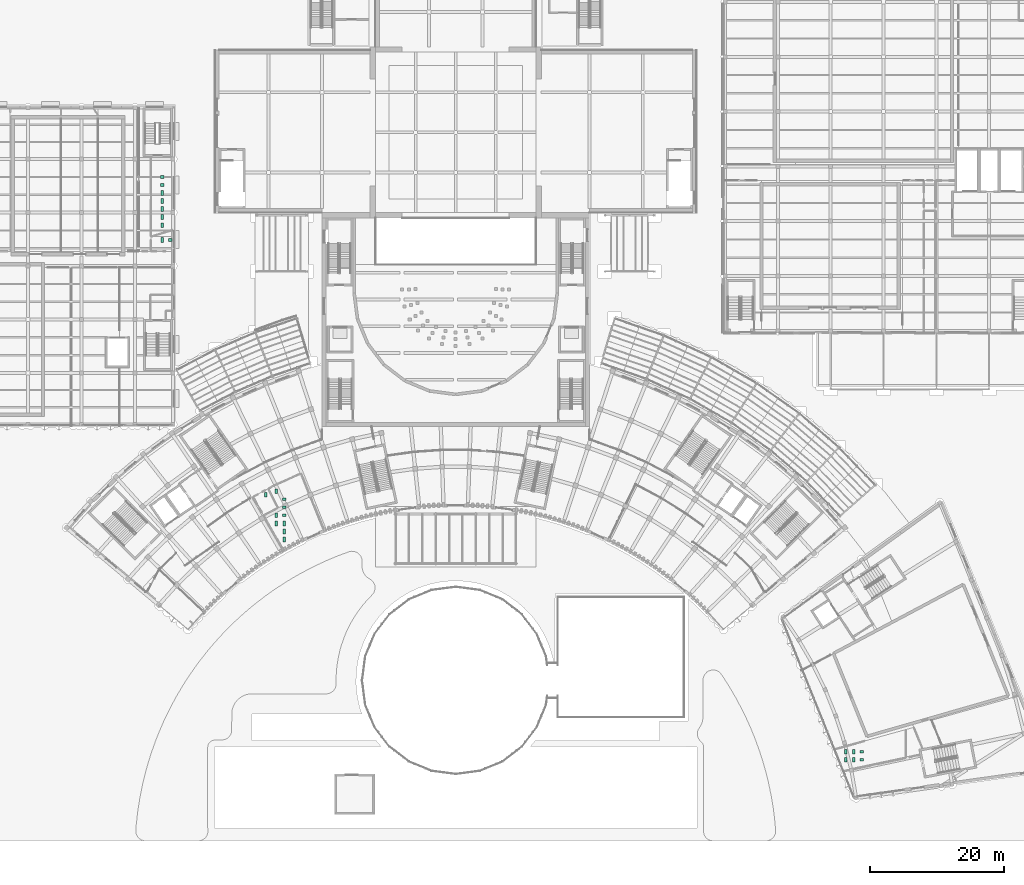
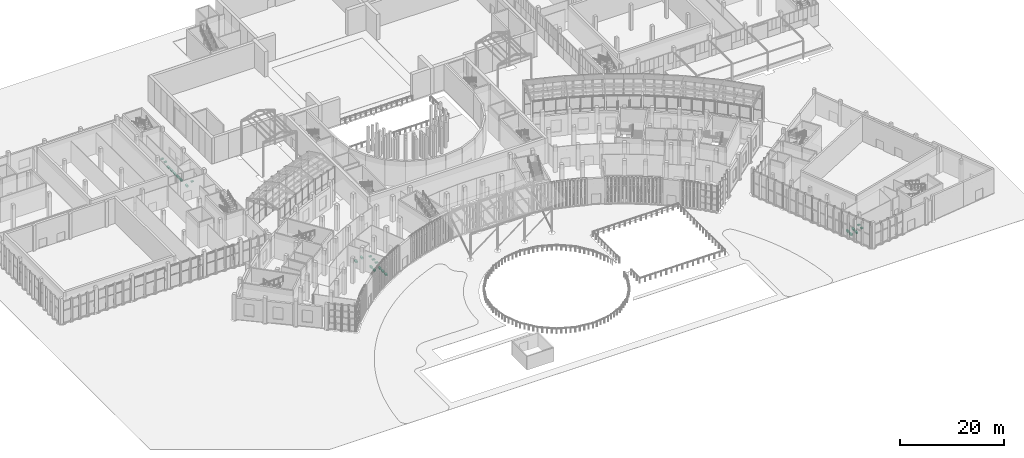
# One storey, part 154 of 155: 25 sanitary terminals.
"""IFC4 building model written with IfcOpenShell, lengths in metres."""

from ifc_helpers import new_model, si_unit, direction, frame, origin, origin_2d, place, context, subcontext, project, spatial, rectangle, extrude, material, type_object, element, save


model = new_model("IFC4")

# Units and contexts
model_context = context("Model", 3, precision=1e-05, world=origin(), true_north=direction((0.0, 1.0)))
body_context = subcontext(model_context, "Body", "Model", "MODEL_VIEW")
ifc_project = project(units=[si_unit("LENGTHUNIT", "METRE"), si_unit("AREAUNIT", "SQUARE_METRE"), si_unit("VOLUMEUNIT", "CUBIC_METRE"), si_unit("PLANEANGLEUNIT", "RADIAN"), si_unit("MASSUNIT", "GRAM", prefix="KILO")], contexts=[model_context])

# Site, building, storey
site_placement = place(None, origin())
site = spatial("IfcSite", under=ifc_project, at=site_placement, CompositionType="ELEMENT")
building_placement = place(site_placement, origin())
building = spatial("IfcBuilding", under=site, at=building_placement, Name="Lunette Opera House", CompositionType="ELEMENT")
storey_placement = place(building_placement, origin())
storey = spatial("IfcBuildingStorey", under=building, at=storey_placement, Name="L00", CompositionType="ELEMENT", Elevation=0.0)

# Sanitary terminals
ifc_material_1 = material(Name="Ceramic")
sanitary_terminal_type_1 = type_object("IfcSanitaryTerminalType", Name="WASH BASIN", PredefinedType="WASHHANDBASIN", material=ifc_material_1)
for number, where, z_axis, x_axis, name in (
    (1, (70.342041015625, 50.695068359375, 0.7001953125), (0.0, 0.0, 1.0), (1.0, 0.0, 0.0), "Wash basin Public WC Foyer"),
    (2, (70.342041015625, 51.89501953125, 0.7001953125), (0.0, 0.0, 1.0), (1.0, 0.0, 0.0), "Wash basin Public WC Foyer"),
    (3, (70.342041015625, 53.094970703125, 0.7001953125), (0.0, 0.0, 1.0), (1.0, 0.0, 0.0), "Wash basin Public WC Foyer"),
    (4, (52.09912109375, 100.1220703125, 0.7001953125), (0.0, 0.0, 1.0), (1.0, 0.0, 0.0), "Wash basin Rehearsal Wing WC"),
    (5, (52.09912109375, 101.322021484375, 0.7001953125), (0.0, 0.0, 1.0), (1.0, 0.0, 0.0), "Wash basin Rehearsal Wing WC"),
    (6, (53.299072265625, 91.89990234375, 0.7001953125), (0.0, 0.0, 1.0), (1.0, 0.0, 0.0), "Wash basin Accessible WC Rehearsal"),
    (7, (156.739990234375, 14.155029296875, 0.7001953125), (0.0, 0.0, 1.0), (1.0, 0.0, 0.0), "Wash basin Studio WC"),
    (8, (156.739990234375, 15.35498046875, 0.7001953125), (0.0, 0.0, 1.0), (1.0, 0.0, 0.0), "Wash basin Studio WC"),
):
    element("IfcSanitaryTerminal", number, at=place(storey_placement, frame(where, z_axis=z_axis, x_axis=x_axis)), inside=storey, type_object=sanitary_terminal_type_1, Name=name, PredefinedType="WASHHANDBASIN", context=body_context, shape_type="SweptSolid", body=[
        extrude(rectangle(XDim=0.5, YDim=0.39990234375, at=origin_2d()), origin(), (0.0, 0.0, 1.0), 0.199951171875),
    ])
ifc_material_2 = material(Name="Ceramic")
sanitary_terminal_type_2 = type_object("IfcSanitaryTerminalType", Name="WC PAN", PredefinedType="TOILETPAN", material=ifc_material_2)
for number, where, z_axis, x_axis, name in (
    (9, (67.56396484375, 53.77392578125, 0.0), (0.0, 0.0, 1.0), (1.0, 0.0, 0.0), "WC pan Accessible WC Foyer"),
    (10, (69.14208984375, 49.4951171875, 0.0), (0.0, 0.0, 1.0), (1.0, 0.0, 0.0), "WC pan Public WC Foyer"),
    (11, (69.14208984375, 50.695068359375, 0.0), (0.0, 0.0, 1.0), (1.0, 0.0, 0.0), "WC pan Public WC Foyer"),
    (12, (69.14208984375, 54.294921875, 0.0), (0.0, 0.0, 1.0), (1.0, 0.0, 0.0), "WC pan Public WC Foyer"),
    (13, (70.342041015625, 47.094970703125, 0.0), (0.0, 0.0, 1.0), (1.0, 0.0, 0.0), "WC pan Public WC Foyer"),
    (14, (70.342041015625, 48.294921875, 0.0), (0.0, 0.0, 1.0), (1.0, 0.0, 0.0), "WC pan Public WC Foyer"),
    (15, (70.342041015625, 49.4951171875, 0.0), (0.0, 0.0, 1.0), (1.0, 0.0, 0.0), "WC pan Public WC Foyer"),
    (16, (52.09912109375, 94.1220703125, 0.0), (0.0, 0.0, 1.0), (1.0, 0.0, 0.0), "WC pan Rehearsal Wing WC"),
    (17, (52.09912109375, 95.322021484375, 0.0), (0.0, 0.0, 1.0), (1.0, 0.0, 0.0), "WC pan Rehearsal Wing WC"),
    (18, (52.09912109375, 96.52197265625, 0.0), (0.0, 0.0, 1.0), (1.0, 0.0, 0.0), "WC pan Rehearsal Wing WC"),
    (19, (52.09912109375, 97.721923828125, 0.0), (0.0, 0.0, 1.0), (1.0, 0.0, 0.0), "WC pan Rehearsal Wing WC"),
    (20, (52.09912109375, 98.922119140625, 0.0), (0.0, 0.0, 1.0), (1.0, 0.0, 0.0), "WC pan Rehearsal Wing WC"),
    (21, (52.09912109375, 91.89990234375, 0.0), (0.0, 0.0, 1.0), (1.0, 0.0, 0.0), "WC pan Accessible WC Rehearsal"),
    (22, (154.340087890625, 14.155029296875, 0.0), (0.0, 0.0, 1.0), (1.0, 0.0, 0.0), "WC pan Studio WC"),
    (23, (154.340087890625, 15.35498046875, 0.0), (0.0, 0.0, 1.0), (1.0, 0.0, 0.0), "WC pan Studio WC"),
    (24, (155.5400390625, 14.155029296875, 0.0), (0.0, 0.0, 1.0), (1.0, 0.0, 0.0), "WC pan Studio WC"),
    (25, (155.5400390625, 15.35498046875, 0.0), (0.0, 0.0, 1.0), (1.0, 0.0, 0.0), "WC pan Studio WC"),
):
    element("IfcSanitaryTerminal", number, at=place(storey_placement, frame(where, z_axis=z_axis, x_axis=x_axis)), inside=storey, type_object=sanitary_terminal_type_2, Name=name, PredefinedType="TOILETPAN", context=body_context, shape_type="SweptSolid", body=[
        extrude(rectangle(XDim=0.39990234375, YDim=0.699951171875, at=origin_2d()), origin(), (0.0, 0.0, 1.0), 0.39990234375),
    ])

save(model, "model.ifc")
